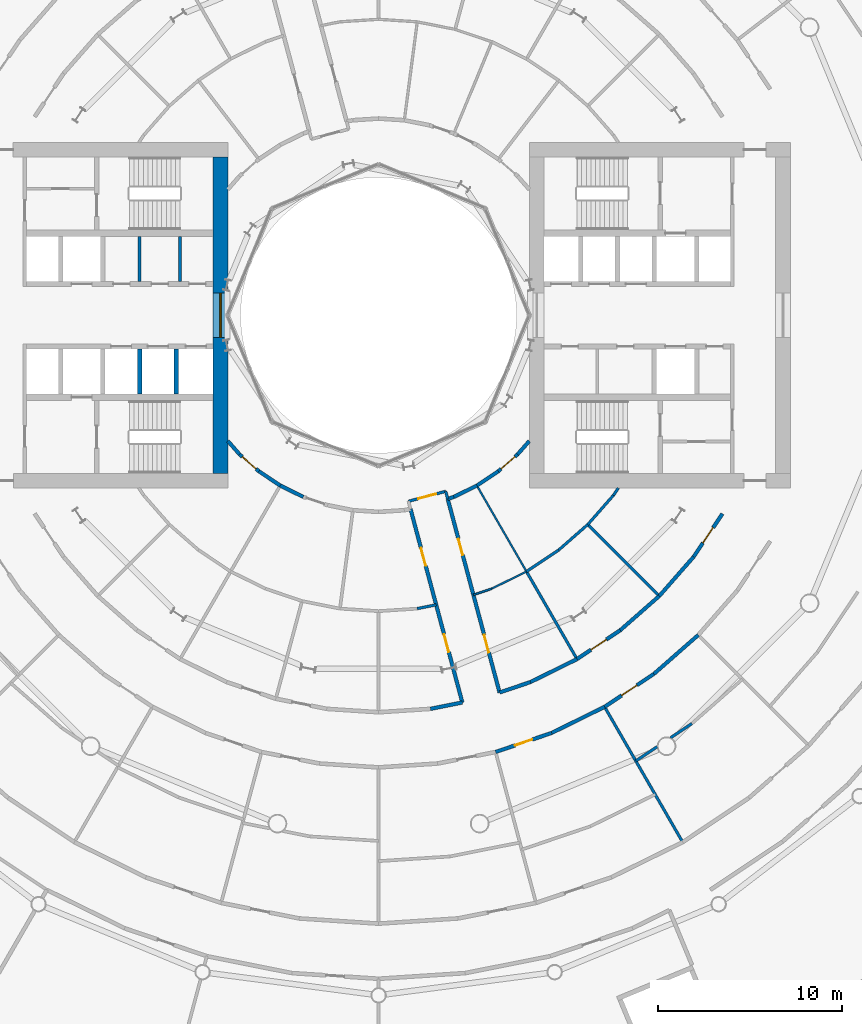
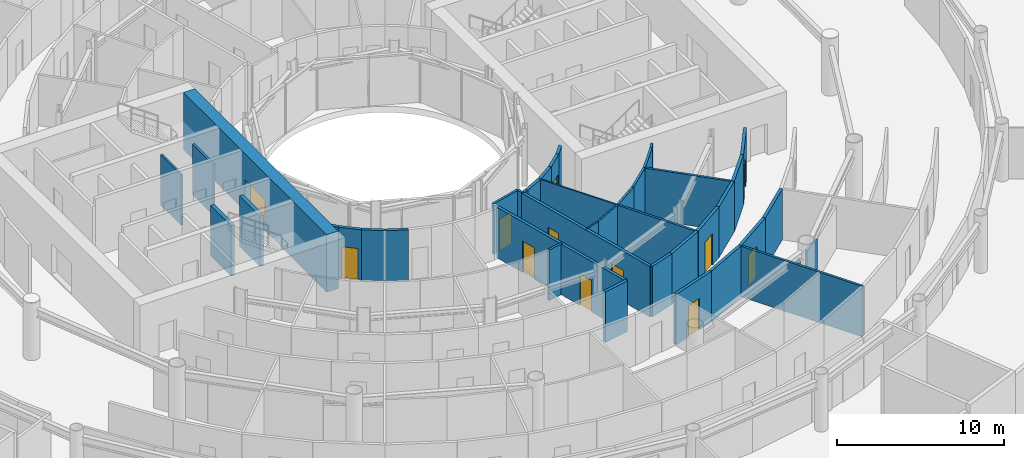
# One storey, part 16 of 29: 42 walls, 11 doors, 1 window, 12 openings.
"""IFC4 building model written with IfcOpenShell, lengths in metres."""

from ifc_helpers import new_model, si_unit, direction, frame, frame_2d, origin, place, context, subcontext, project, spatial, rectangle, extrude, material, layer, layer_set, type_object, element, fill, save


model = new_model("IFC4")

# Units and contexts
model_context = context("Model", 3, precision=1e-05, world=origin(), true_north=direction((0.0, 1.0)))
body_context = subcontext(model_context, "Body", "Model", "MODEL_VIEW")
ifc_project = project(units=[si_unit("LENGTHUNIT", "METRE"), si_unit("AREAUNIT", "SQUARE_METRE"), si_unit("VOLUMEUNIT", "CUBIC_METRE"), si_unit("PLANEANGLEUNIT", "RADIAN"), si_unit("MASSUNIT", "GRAM", prefix="KILO")], contexts=[model_context])

# Site, building, storey
site_placement = place(None, origin())
site = spatial("IfcSite", under=ifc_project, at=site_placement, CompositionType="ELEMENT")
building_placement = place(site_placement, origin())
building = spatial("IfcBuilding", under=site, at=building_placement, Name="Maasbend Ring Residences", CompositionType="ELEMENT")
storey_placement = place(building_placement, frame((0.0, 0.0, 5.39990234375)))
storey = spatial("IfcBuildingStorey", under=building, at=storey_placement, Name="L01", CompositionType="ELEMENT", Elevation=5.39990234375)

# Wall, opening, window
ifc_material_1 = material(Name="Concrete C70/85", Category="concrete")
ifc_layer_1 = layer(ifc_material_1, 0.800048828125)
ifc_layer_set_1 = layer_set([ifc_layer_1], Name="Concrete C70/85")
wall_type_1 = type_object("IfcWallType", Name="CORE WALL 800 C70/85", PredefinedType="SHEAR", material=ifc_layer_set_1)
wall_1_placement = place(storey_placement, frame((-8.60009765625, 8.60009765625, 0.0), z_axis=(0.0, 0.0, 1.0), x_axis=(0.0, -1.0, 0.0)))
wall_1 = element("IfcWall", 1, at=wall_1_placement, inside=storey, type_object=wall_type_1, Name="L01 core W wall PIN", PredefinedType="SHEAR", context=body_context, shape_type="SweptSolid", body=[
    extrude(rectangle(XDim=17.2001953125, YDim=0.800048828125, at=frame_2d((8.60009765625, 0.0))), origin(), (0.0, 0.0, 1.0), 4.2001953125),
])
opening_1_placement = place(wall_1_placement, frame((7.39990234375, 0.0, 0.10009765625)))
opening_1 = element("IfcOpeningElement", 2, at=opening_1_placement, cuts=wall_1, Name="Opening W-W0101", PredefinedType="OPENING", context=body_context, shape_type="SweptSolid", body=[
    extrude(rectangle(XDim=2.39990234375, YDim=2.199951171875, at=frame_2d((1.199951171875, 1.10009765625))), frame((0.0, 0.41015625, 0.0), z_axis=(0.0, -1.0, 0.0), x_axis=(1.0, 0.0, 0.0)), (0.0, 0.0, 1.0), 0.820068359375),
])
ifc_material_2 = material(Name="Aluminium frame and clear glass", Category="aluminium")
window_type = type_object("IfcWindowType", Name="FIXED WINDOW 2400 X 2200", PartitioningType="SINGLE_PANEL", PredefinedType="WINDOW", material=ifc_material_2)
window_placement = place(opening_1_placement, origin())
window = element("IfcWindow", 3, at=window_placement, inside=storey, type_object=window_type, Name="Lobby window L01", OverallHeight=2.199951171875, OverallWidth=2.39990234375, PartitioningType="SINGLE_PANEL", PredefinedType="WINDOW", context=body_context, shape_type="SweptSolid", body=[
    extrude(rectangle(XDim=2.39990234375, YDim=2.199951171875, at=frame_2d((1.199951171875, 1.10009765625))), frame((0.0, 0.030029296875, 0.0), z_axis=(0.0, -1.0, 0.0), x_axis=(1.0, 0.0, 0.0)), (0.0, 0.0, 1.0), 0.06005859375),
])
fill(opening_1, window)

# Wall, opening, door
ifc_material_3 = material(Name="Concrete C30/37", Category="concrete")
ifc_layer_2 = layer(ifc_material_3, 0.199951171875)
ifc_layer_set_2 = layer_set([ifc_layer_2], Name="Concrete C30/37")
wall_type_2 = type_object("IfcWallType", Name="CORRIDOR WALL 200 CONCRETE", PredefinedType="PARTITIONING", material=ifc_layer_set_2)
wall_2_placement = place(storey_placement, frame((6.366943359375, -23.761962890625, 0.0), z_axis=(0.0, 0.0, 1.0), x_axis=(0.946877665823, 0.321593976879, 0.0)))
wall_2 = element("IfcWall", 4, at=wall_2_placement, inside=storey, type_object=wall_type_2, Name="U-L01-w068", PredefinedType="PARTITIONING", context=body_context, shape_type="SweptSolid", body=[
    extrude(rectangle(XDim=3.218017578125, YDim=0.199951171875, at=frame_2d((1.60888671875, 0.0))), origin(), (0.0, 0.0, 1.0), 3.7001953125),
])
opening_2_placement = place(wall_2_placement, frame((1.10888671875, 0.0, 0.0)))
opening_2 = element("IfcOpeningElement", 5, at=opening_2_placement, cuts=wall_2, Name="Opening D-0164", PredefinedType="OPENING", context=body_context, shape_type="SweptSolid", body=[
    extrude(rectangle(XDim=1.0, YDim=2.300048828125, at=frame_2d((0.5, 1.14990234375))), frame((0.0, 0.10986328125, 0.0), z_axis=(0.0, -1.0, 0.0), x_axis=(1.0, 0.0, 0.0)), (0.0, 0.0, 1.0), 0.219970703125),
])
ifc_material_4 = material(Name="Timber, painted", Category="wood")
door_type_1 = type_object("IfcDoorType", Name="ROOM DOOR 1000 X 2300", OperationType="NOTDEFINED", PredefinedType="DOOR", material=ifc_material_4)
door_1_placement = place(opening_2_placement, origin())
door_1 = element("IfcDoor", 6, at=door_1_placement, inside=storey, type_object=door_type_1, Name="D-0164", OperationType="SINGLE_SWING_LEFT", OverallHeight=2.300048828125, OverallWidth=1.0, PredefinedType="DOOR", context=body_context, shape_type="SweptSolid", body=[
    extrude(rectangle(XDim=1.0, YDim=2.300048828125, at=frame_2d((0.5, 1.14990234375))), frame((0.0, 0.02490234375, 0.0), z_axis=(0.0, -1.0, 0.0), x_axis=(1.0, 0.0, 0.0)), (0.0, 0.0, 1.0), 0.050048828125),
])
fill(opening_2, door_1)

# Wall
wall_3_placement = place(storey_placement, frame((9.4140625, -22.72705078125, 0.0), z_axis=(0.0, 0.0, 1.0), x_axis=(0.896886949195, 0.442259878763, 0.0)))
element("IfcWall", 7, at=wall_3_placement, inside=storey, type_object=wall_type_2, Name="U-L01-w069", PredefinedType="PARTITIONING", context=body_context, shape_type="SweptSolid", body=[
    extrude(rectangle(XDim=3.2177734375, YDim=0.199951171875, at=frame_2d((1.60888671875, 0.0))), origin(), (0.0, 0.0, 1.0), 3.7001953125),
])

# Wall, opening, door
wall_4_placement = place(storey_placement, frame((12.300048828125, -21.303955078125, 0.0), z_axis=(0.0, 0.0, 1.0), x_axis=(0.831501361433, 0.555522714148, 0.0)))
wall_4 = element("IfcWall", 8, at=wall_4_placement, inside=storey, type_object=wall_type_2, Name="U-L01-w070", PredefinedType="PARTITIONING", context=body_context, shape_type="SweptSolid", body=[
    extrude(rectangle(XDim=3.21826171875, YDim=0.199951171875, at=frame_2d((1.609130859375, 0.0))), origin(), (0.0, 0.0, 1.0), 3.7001953125),
])
opening_3_placement = place(wall_4_placement, frame((1.10888671875, 0.0, 0.0)))
opening_3 = element("IfcOpeningElement", 9, at=opening_3_placement, cuts=wall_4, Name="Opening D-0166", PredefinedType="OPENING", context=body_context, shape_type="SweptSolid", body=[
    extrude(rectangle(XDim=1.0, YDim=2.300048828125, at=frame_2d((0.5, 1.14990234375))), frame((0.0, 0.10986328125, 0.0), z_axis=(0.0, -1.0, 0.0), x_axis=(1.0, 0.0, 0.0)), (0.0, 0.0, 1.0), 0.219970703125),
])
door_2_placement = place(opening_3_placement, origin())
door_2 = element("IfcDoor", 10, at=door_2_placement, inside=storey, type_object=door_type_1, Name="D-0166", OperationType="SINGLE_SWING_LEFT", OverallHeight=2.300048828125, OverallWidth=1.0, PredefinedType="DOOR", context=body_context, shape_type="SweptSolid", body=[
    extrude(rectangle(XDim=1.0, YDim=2.300048828125, at=frame_2d((0.5, 1.14990234375))), frame((0.0, 0.02490234375, 0.0), z_axis=(0.0, -1.0, 0.0), x_axis=(1.0, 0.0, 0.0)), (0.0, 0.0, 1.0), 0.050048828125),
])
fill(opening_3, door_2)

# Walls
wall_5_placement = place(storey_placement, frame((14.97607421875, -19.51611328125, 0.0), z_axis=(0.0, 0.0, 1.0), x_axis=(0.751880539175, 0.659299366608, 0.0)))
element("IfcWall", 11, at=wall_5_placement, inside=storey, type_object=wall_type_2, Name="U-L01-w071", PredefinedType="PARTITIONING", context=body_context, shape_type="SweptSolid", body=[
    extrude(rectangle(XDim=3.21728515625, YDim=0.199951171875, at=frame_2d((1.608642578125, 0.0))), origin(), (0.0, 0.0, 1.0), 3.7001953125),
])
for number, where, z_axis, x_axis, name in (
    (12, (2.819091796875, -21.4150390625, 0.0), (0.0, 0.0, 1.0), (0.980781401852, 0.195109819798, 0.0), "U-L01-w083"),
    (13, (6.5869140625, -20.52587890625, 0.0), (0.0, 0.0, 1.0), (0.946962242055, 0.321344849223, 0.0), "U-L01-w084"),
):
    element("IfcWall", number, at=place(storey_placement, frame(where, z_axis=z_axis, x_axis=x_axis)), inside=storey, type_object=wall_type_2, Name=name, PredefinedType="PARTITIONING", context=body_context, shape_type="SweptSolid", body=[
        extrude(rectangle(XDim=1.773193359375, YDim=0.199951171875, at=frame_2d((0.88671875, 0.0))), origin(), (0.0, 0.0, 1.0), 3.7001953125),
    ])
wall_6_placement = place(storey_placement, frame((8.26611328125, -19.9560546875, 0.0), z_axis=(0.0, 0.0, 1.0), x_axis=(0.896816398134, 0.442402924988, 0.0)))
element("IfcWall", 14, at=wall_6_placement, inside=storey, type_object=wall_type_2, Name="U-L01-w085", PredefinedType="PARTITIONING", context=body_context, shape_type="SweptSolid", body=[
    extrude(rectangle(XDim=2.825439453125, YDim=0.199951171875, at=frame_2d((1.41259765625, 0.0))), origin(), (0.0, 0.0, 1.0), 3.7001953125),
])

# Wall, opening, door
wall_7_placement = place(storey_placement, frame((10.800048828125, -18.7060546875, 0.0), z_axis=(0.0, 0.0, 1.0), x_axis=(0.831371669473, 0.55571678686, 0.0)))
wall_7 = element("IfcWall", 15, at=wall_7_placement, inside=storey, type_object=wall_type_2, Name="U-L01-w086", PredefinedType="PARTITIONING", context=body_context, shape_type="SweptSolid", body=[
    extrude(rectangle(XDim=2.8251953125, YDim=0.199951171875, at=frame_2d((1.41259765625, 0.0))), origin(), (0.0, 0.0, 1.0), 3.7001953125),
])
opening_4_placement = place(wall_7_placement, frame((0.9130859375, 0.0, 0.0)))
opening_4 = element("IfcOpeningElement", 16, at=opening_4_placement, cuts=wall_7, Name="Opening D-0128", PredefinedType="OPENING", context=body_context, shape_type="SweptSolid", body=[
    extrude(rectangle(XDim=1.0, YDim=2.300048828125, at=frame_2d((0.5, 1.14990234375))), frame((0.0, 0.10986328125, 0.0), z_axis=(0.0, -1.0, 0.0), x_axis=(1.0, 0.0, 0.0)), (0.0, 0.0, 1.0), 0.219970703125),
])
door_3_placement = place(opening_4_placement, origin())
door_3 = element("IfcDoor", 17, at=door_3_placement, inside=storey, type_object=door_type_1, Name="D-0128", OperationType="SINGLE_SWING_RIGHT", OverallHeight=2.300048828125, OverallWidth=1.0, PredefinedType="DOOR", context=body_context, shape_type="SweptSolid", body=[
    extrude(rectangle(XDim=1.0, YDim=2.300048828125, at=frame_2d((0.5, 1.14990234375))), frame((0.0, 0.02490234375, 0.0), z_axis=(0.0, -1.0, 0.0), x_axis=(1.0, 0.0, 0.0)), (0.0, 0.0, 1.0), 0.050048828125),
])
fill(opening_4, door_3)

# Walls
for number, where, z_axis, x_axis, name in (
    (18, (13.14892578125, -17.135986328125, 0.0), (0.0, 0.0, 1.0), (0.752105457459, 0.659042776199, 0.0), "U-L01-w087"),
    (19, (15.27392578125, -15.27392578125, 0.0), (0.0, 0.0, 1.0), (0.659042776199, 0.752105457459, 0.0), "U-L01-w088"),
):
    element("IfcWall", number, at=place(storey_placement, frame(where, z_axis=z_axis, x_axis=x_axis)), inside=storey, type_object=wall_type_2, Name=name, PredefinedType="PARTITIONING", context=body_context, shape_type="SweptSolid", body=[
        extrude(rectangle(XDim=2.825439453125, YDim=0.199951171875, at=frame_2d((1.41259765625, 0.0))), origin(), (0.0, 0.0, 1.0), 3.7001953125),
    ])

# Wall, opening, door
wall_8_placement = place(storey_placement, frame((17.135986328125, -13.14892578125, 0.0), z_axis=(0.0, 0.0, 1.0), x_axis=(0.55571678686, 0.831371669473, 0.0)))
wall_8 = element("IfcWall", 20, at=wall_8_placement, inside=storey, type_object=wall_type_2, Name="U-L01-w089", PredefinedType="PARTITIONING", context=body_context, shape_type="SweptSolid", body=[
    extrude(rectangle(XDim=2.8251953125, YDim=0.199951171875, at=frame_2d((1.41259765625, 0.0))), origin(), (0.0, 0.0, 1.0), 3.7001953125),
])
opening_5_placement = place(wall_8_placement, frame((0.9130859375, 0.0, 0.0)))
opening_5 = element("IfcOpeningElement", 21, at=opening_5_placement, cuts=wall_8, Name="Opening D-0129", PredefinedType="OPENING", context=body_context, shape_type="SweptSolid", body=[
    extrude(rectangle(XDim=1.0, YDim=2.300048828125, at=frame_2d((0.5, 1.14990234375))), frame((0.0, 0.10986328125, 0.0), z_axis=(0.0, -1.0, 0.0), x_axis=(1.0, 0.0, 0.0)), (0.0, 0.0, 1.0), 0.219970703125),
])
door_4_placement = place(opening_5_placement, origin())
door_4 = element("IfcDoor", 22, at=door_4_placement, inside=storey, type_object=door_type_1, Name="D-0129", OperationType="SINGLE_SWING_RIGHT", OverallHeight=2.300048828125, OverallWidth=1.0, PredefinedType="DOOR", context=body_context, shape_type="SweptSolid", body=[
    extrude(rectangle(XDim=1.0, YDim=2.300048828125, at=frame_2d((0.5, 1.14990234375))), frame((0.0, 0.02490234375, 0.0), z_axis=(0.0, -1.0, 0.0), x_axis=(1.0, 0.0, 0.0)), (0.0, 0.0, 1.0), 0.050048828125),
])
fill(opening_5, door_4)

# Wall
wall_9_placement = place(storey_placement, frame((-8.199951171875, -6.843017578125, 0.0), z_axis=(0.0, 0.0, 1.0), x_axis=(0.659384951594, -0.751805483893, 0.0)))
element("IfcWall", 23, at=wall_9_placement, inside=storey, type_object=wall_type_2, Name="U-L01-w106", PredefinedType="PARTITIONING", context=body_context, shape_type="SweptSolid", body=[
    extrude(rectangle(XDim=0.961669921875, YDim=0.199951171875, at=frame_2d((0.48095703125, 0.0))), origin(), (0.0, 0.0, 1.0), 3.7001953125),
])

# Wall, opening, door
wall_10_placement = place(storey_placement, frame((-7.56591796875, -7.56591796875, 0.0), z_axis=(0.0, 0.0, 1.0), x_axis=(0.751657456611, -0.65955368843, 0.0)))
wall_10 = element("IfcWall", 24, at=wall_10_placement, inside=storey, type_object=wall_type_2, Name="U-L01-w107", PredefinedType="PARTITIONING", context=body_context, shape_type="SweptSolid", body=[
    extrude(rectangle(XDim=1.399658203125, YDim=0.199951171875, at=frame_2d((0.69970703125, 0.0))), origin(), (0.0, 0.0, 1.0), 3.7001953125),
])
opening_6_placement = place(wall_10_placement, frame((0.199951171875, 0.0, 0.0)))
opening_6 = element("IfcOpeningElement", 25, at=opening_6_placement, cuts=wall_10, Name="Opening D-0109", PredefinedType="OPENING", context=body_context, shape_type="SweptSolid", body=[
    extrude(rectangle(XDim=1.0, YDim=2.300048828125, at=frame_2d((0.5, 1.14990234375))), frame((0.0, 0.10986328125, 0.0), z_axis=(0.0, -1.0, 0.0), x_axis=(1.0, 0.0, 0.0)), (0.0, 0.0, 1.0), 0.219970703125),
])
door_5_placement = place(opening_6_placement, origin())
door_5 = element("IfcDoor", 26, at=door_5_placement, inside=storey, type_object=door_type_1, Name="D-0109", OperationType="SINGLE_SWING_LEFT", OverallHeight=2.300048828125, OverallWidth=1.0, PredefinedType="DOOR", context=body_context, shape_type="SweptSolid", body=[
    extrude(rectangle(XDim=1.0, YDim=2.300048828125, at=frame_2d((0.5, 1.14990234375))), frame((0.0, 0.02490234375, 0.0), z_axis=(0.0, -1.0, 0.0), x_axis=(1.0, 0.0, 0.0)), (0.0, 0.0, 1.0), 0.050048828125),
])
fill(opening_6, door_5)

# Walls
wall_11_placement = place(storey_placement, frame((-6.513916015625, -8.489013671875, 0.0), z_axis=(0.0, 0.0, 1.0), x_axis=(0.831647476803, -0.555303947696, 0.0)))
element("IfcWall", 27, at=wall_11_placement, inside=storey, type_object=wall_type_2, Name="U-L01-w108", PredefinedType="PARTITIONING", context=body_context, shape_type="SweptSolid", body=[
    extrude(rectangle(XDim=1.3994140625, YDim=0.199951171875, at=frame_2d((0.69970703125, 0.0))), origin(), (0.0, 0.0, 1.0), 3.7001953125),
])
wall_12_placement = place(storey_placement, frame((-5.35009765625, -9.26611328125, 0.0), z_axis=(0.0, 0.0, 1.0), x_axis=(0.896613890545, -0.442813201341, 0.0)))
element("IfcWall", 28, at=wall_12_placement, inside=storey, type_object=wall_type_2, Name="U-L01-w109", PredefinedType="PARTITIONING", context=body_context, shape_type="SweptSolid", body=[
    extrude(rectangle(XDim=1.39990234375, YDim=0.199951171875, at=frame_2d((0.699951171875, 0.0))), origin(), (0.0, 0.0, 1.0), 3.7001953125),
])
wall_13_placement = place(storey_placement, frame((3.76611328125, -9.9970703125, 0.0), z_axis=(0.0, 0.0, 1.0), x_axis=(0.947409668882, 0.320023310572, 0.0)))
element("IfcWall", 29, at=wall_13_placement, inside=storey, type_object=wall_type_2, Name="U-L01-w115", PredefinedType="PARTITIONING", context=body_context, shape_type="SweptSolid", body=[
    extrude(rectangle(XDim=0.34716796875, YDim=0.199951171875, at=frame_2d((0.173583984375, 0.0))), origin(), (0.0, 0.0, 1.0), 3.7001953125),
])
wall_14_placement = place(storey_placement, frame((4.094970703125, -9.885986328125, 0.0), z_axis=(0.0, 0.0, 1.0), x_axis=(0.896613890545, 0.442813201341, 0.0)))
element("IfcWall", 30, at=wall_14_placement, inside=storey, type_object=wall_type_2, Name="U-L01-w116", PredefinedType="PARTITIONING", context=body_context, shape_type="SweptSolid", body=[
    extrude(rectangle(XDim=1.39990234375, YDim=0.199951171875, at=frame_2d((0.699951171875, 0.0))), origin(), (0.0, 0.0, 1.0), 3.7001953125),
])
wall_15_placement = place(storey_placement, frame((5.35009765625, -9.26611328125, 0.0), z_axis=(0.0, 0.0, 1.0), x_axis=(0.831647476803, 0.555303947696, 0.0)))
element("IfcWall", 31, at=wall_15_placement, inside=storey, type_object=wall_type_2, Name="U-L01-w117", PredefinedType="PARTITIONING", context=body_context, shape_type="SweptSolid", body=[
    extrude(rectangle(XDim=1.3994140625, YDim=0.199951171875, at=frame_2d((0.69970703125, 0.0))), origin(), (0.0, 0.0, 1.0), 3.7001953125),
])

# Wall, opening, door
wall_16_placement = place(storey_placement, frame((6.513916015625, -8.489013671875, 0.0), z_axis=(0.0, 0.0, 1.0), x_axis=(0.751657456611, 0.65955368843, 0.0)))
wall_16 = element("IfcWall", 32, at=wall_16_placement, inside=storey, type_object=wall_type_2, Name="U-L01-w118", PredefinedType="PARTITIONING", context=body_context, shape_type="SweptSolid", body=[
    extrude(rectangle(XDim=1.399658203125, YDim=0.199951171875, at=frame_2d((0.69970703125, 0.0))), origin(), (0.0, 0.0, 1.0), 3.7001953125),
])
opening_7_placement = place(wall_16_placement, frame((0.199951171875, 0.0, 0.0)))
opening_7 = element("IfcOpeningElement", 33, at=opening_7_placement, cuts=wall_16, Name="Opening D-0113", PredefinedType="OPENING", context=body_context, shape_type="SweptSolid", body=[
    extrude(rectangle(XDim=1.0, YDim=2.300048828125, at=frame_2d((0.5, 1.14990234375))), frame((0.0, 0.10986328125, 0.0), z_axis=(0.0, -1.0, 0.0), x_axis=(1.0, 0.0, 0.0)), (0.0, 0.0, 1.0), 0.219970703125),
])
door_6_placement = place(opening_7_placement, origin())
door_6 = element("IfcDoor", 34, at=door_6_placement, inside=storey, type_object=door_type_1, Name="D-0113", OperationType="SINGLE_SWING_LEFT", OverallHeight=2.300048828125, OverallWidth=1.0, PredefinedType="DOOR", context=body_context, shape_type="SweptSolid", body=[
    extrude(rectangle(XDim=1.0, YDim=2.300048828125, at=frame_2d((0.5, 1.14990234375))), frame((0.0, 0.02490234375, 0.0), z_axis=(0.0, -1.0, 0.0), x_axis=(1.0, 0.0, 0.0)), (0.0, 0.0, 1.0), 0.050048828125),
])
fill(opening_7, door_6)

# Wall
wall_17_placement = place(storey_placement, frame((7.56591796875, -7.56591796875, 0.0), z_axis=(0.0, 0.0, 1.0), x_axis=(0.659384951594, 0.751805483893, 0.0)))
element("IfcWall", 35, at=wall_17_placement, inside=storey, type_object=wall_type_2, Name="U-L01-w119", PredefinedType="PARTITIONING", context=body_context, shape_type="SweptSolid", body=[
    extrude(rectangle(XDim=0.961669921875, YDim=0.199951171875, at=frame_2d((0.48095703125, 0.0))), origin(), (0.0, 0.0, 1.0), 3.7001953125),
])

# Wall, openings, doors
wall_18_placement = place(storey_placement, frame((1.737060546875, -10.5400390625, 0.0), z_axis=(0.0, 0.0, 1.0), x_axis=(0.258696900173, -0.965958546647, 0.0)))
wall_18 = element("IfcWall", 36, at=wall_18_placement, inside=storey, type_object=wall_type_2, Name="U-L01-w128", PredefinedType="PARTITIONING", context=body_context, shape_type="SweptSolid", body=[
    extrude(rectangle(XDim=10.900146484375, YDim=0.199951171875, at=frame_2d((5.4501953125, 0.0))), origin(), (0.0, 0.0, 1.0), 3.7001953125),
])
opening_8_placement = place(wall_18_placement, frame((2.199951171875, 0.0, 0.0)))
opening_8 = element("IfcOpeningElement", 37, at=opening_8_placement, cuts=wall_18, Name="Opening D-0111", PredefinedType="OPENING", context=body_context, shape_type="SweptSolid", body=[
    extrude(rectangle(XDim=1.0, YDim=2.300048828125, at=frame_2d((0.5, 1.14990234375))), frame((0.0, 0.10986328125, 0.0), z_axis=(0.0, -1.0, 0.0), x_axis=(1.0, 0.0, 0.0)), (0.0, 0.0, 1.0), 0.219970703125),
])
opening_9_placement = place(wall_18_placement, frame((7.050048828125, 0.0, 0.0)))
opening_9 = element("IfcOpeningElement", 38, at=opening_9_placement, cuts=wall_18, Name="Opening D-0126", PredefinedType="OPENING", context=body_context, shape_type="SweptSolid", body=[
    extrude(rectangle(XDim=1.0, YDim=2.300048828125, at=frame_2d((0.5, 1.14990234375))), frame((0.0, 0.10986328125, 0.0), z_axis=(0.0, -1.0, 0.0), x_axis=(1.0, 0.0, 0.0)), (0.0, 0.0, 1.0), 0.219970703125),
])
door_7_placement = place(opening_8_placement, origin())
door_7 = element("IfcDoor", 39, at=door_7_placement, inside=storey, type_object=door_type_1, Name="D-0111", OperationType="SINGLE_SWING_LEFT", OverallHeight=2.300048828125, OverallWidth=1.0, PredefinedType="DOOR", context=body_context, shape_type="SweptSolid", body=[
    extrude(rectangle(XDim=1.0, YDim=2.300048828125, at=frame_2d((0.5, 1.14990234375))), frame((0.0, 0.02490234375, 0.0), z_axis=(0.0, -1.0, 0.0), x_axis=(1.0, 0.0, 0.0)), (0.0, 0.0, 1.0), 0.050048828125),
])
fill(opening_8, door_7)
door_8_placement = place(opening_9_placement, origin())
door_8 = element("IfcDoor", 40, at=door_8_placement, inside=storey, type_object=door_type_1, Name="D-0126", OperationType="SINGLE_SWING_RIGHT", OverallHeight=2.300048828125, OverallWidth=1.0, PredefinedType="DOOR", context=body_context, shape_type="SweptSolid", body=[
    extrude(rectangle(XDim=1.0, YDim=2.300048828125, at=frame_2d((0.5, 1.14990234375))), frame((0.0, 0.02490234375, 0.0), z_axis=(0.0, -1.0, 0.0), x_axis=(1.0, 0.0, 0.0)), (0.0, 0.0, 1.0), 0.050048828125),
])
fill(opening_9, door_8)

wall_19_placement = place(storey_placement, frame((3.762939453125, -9.998046875, 0.0), z_axis=(0.0, 0.0, 1.0), x_axis=(0.258717799026, -0.965952949407, 0.0)))
wall_19 = element("IfcWall", 41, at=wall_19_placement, inside=storey, type_object=wall_type_2, Name="U-L01-w188", PredefinedType="PARTITIONING", context=body_context, shape_type="SweptSolid", body=[
    extrude(rectangle(XDim=10.900146484375, YDim=0.199951171875, at=frame_2d((5.4501953125, 0.0))), origin(), (0.0, 0.0, 1.0), 3.7001953125),
])
opening_10_placement = place(wall_19_placement, frame((2.25, 0.0, 0.0)))
opening_10 = element("IfcOpeningElement", 42, at=opening_10_placement, cuts=wall_19, Name="Opening D-0112", PredefinedType="OPENING", context=body_context, shape_type="SweptSolid", body=[
    extrude(rectangle(XDim=0.89990234375, YDim=2.300048828125, at=frame_2d((0.449951171875, 1.14990234375))), frame((0.0, 0.10986328125, 0.0), z_axis=(0.0, -1.0, 0.0), x_axis=(1.0, 0.0, 0.0)), (0.0, 0.0, 1.0), 0.219970703125),
])
opening_11_placement = place(wall_19_placement, frame((7.64990234375, 0.0, 0.0)))
opening_11 = element("IfcOpeningElement", 43, at=opening_11_placement, cuts=wall_19, Name="Opening D-0127", PredefinedType="OPENING", context=body_context, shape_type="SweptSolid", body=[
    extrude(rectangle(XDim=1.0, YDim=2.300048828125, at=frame_2d((0.5, 1.14990234375))), frame((0.0, 0.10986328125, 0.0), z_axis=(0.0, -1.0, 0.0), x_axis=(1.0, 0.0, 0.0)), (0.0, 0.0, 1.0), 0.219970703125),
])
ifc_material_5 = material(Name="Timber, painted", Category="wood")
door_type_2 = type_object("IfcDoorType", Name="INTERNAL DOOR 900 X 2300", OperationType="NOTDEFINED", PredefinedType="DOOR", material=ifc_material_5)
door_9_placement = place(opening_10_placement, origin())
door_9 = element("IfcDoor", 44, at=door_9_placement, inside=storey, type_object=door_type_2, Name="D-0112", OperationType="SINGLE_SWING_LEFT", OverallHeight=2.300048828125, OverallWidth=0.89990234375, PredefinedType="DOOR", context=body_context, shape_type="SweptSolid", body=[
    extrude(rectangle(XDim=0.89990234375, YDim=2.300048828125, at=frame_2d((0.449951171875, 1.14990234375))), frame((0.0, 0.02490234375, 0.0), z_axis=(0.0, -1.0, 0.0), x_axis=(1.0, 0.0, 0.0)), (0.0, 0.0, 1.0), 0.050048828125),
])
fill(opening_10, door_9)
door_10_placement = place(opening_11_placement, origin())
door_10 = element("IfcDoor", 45, at=door_10_placement, inside=storey, type_object=door_type_1, Name="D-0127", OperationType="SINGLE_SWING_RIGHT", OverallHeight=2.300048828125, OverallWidth=1.0, PredefinedType="DOOR", context=body_context, shape_type="SweptSolid", body=[
    extrude(rectangle(XDim=1.0, YDim=2.300048828125, at=frame_2d((0.5, 1.14990234375))), frame((0.0, 0.02490234375, 0.0), z_axis=(0.0, -1.0, 0.0), x_axis=(1.0, 0.0, 0.0)), (0.0, 0.0, 1.0), 0.050048828125),
])
fill(opening_11, door_10)

# Walls
ifc_material_6 = material(Name="Gypsum board on steel studs", Category="steel")
ifc_layer_3 = layer(ifc_material_6, 0.10009765625)
ifc_layer_set_3 = layer_set([ifc_layer_3], Name="PARTITION 100 GYPSUM")
wall_type_3 = type_object("IfcWallType", Name="PARTITION 100 GYPSUM", PredefinedType="PARTITIONING", material=ifc_layer_set_3)
wall_20_placement = place(storey_placement, frame((5.1630859375, -15.212890625, 0.0), z_axis=(0.0, 0.0, 1.0), x_axis=(0.946884250849, 0.321574587761, 0.0)))
element("IfcWall", 46, at=wall_20_placement, inside=storey, type_object=wall_type_3, Name="U-L01-w099", PredefinedType="PARTITIONING", context=body_context, shape_type="SweptSolid", body=[
    extrude(rectangle(XDim=1.0537109375, YDim=0.10009765625, at=frame_2d((0.52685546875, 0.0))), origin(), (0.0, 0.0, 1.0), 3.7001953125),
])
wall_21_placement = place(storey_placement, frame((6.160888671875, -14.8740234375, 0.0), z_axis=(0.0, 0.0, 1.0), x_axis=(0.897008779175, 0.442012726156, 0.0)))
element("IfcWall", 47, at=wall_21_placement, inside=storey, type_object=wall_type_3, Name="U-L01-w100", PredefinedType="PARTITIONING", context=body_context, shape_type="SweptSolid", body=[
    extrude(rectangle(XDim=2.10595703125, YDim=0.10009765625, at=frame_2d((1.052978515625, 0.0))), origin(), (0.0, 0.0, 1.0), 3.7001953125),
])
wall_22_placement = place(storey_placement, frame((5.346923828125, -9.26806640625, 0.0), z_axis=(0.0, 0.0, 1.0), x_axis=(0.499989858664, -0.866031258808, 0.0)))
element("IfcWall", 48, at=wall_22_placement, inside=storey, type_object=wall_type_3, Name="U-L01-w165", PredefinedType="PARTITIONING", context=body_context, shape_type="SweptSolid", body=[
    extrude(rectangle(XDim=5.400390625, YDim=0.10009765625, at=frame_2d((2.7001953125, 0.0))), origin(), (0.0, 0.0, 1.0), 3.7001953125),
])
ifc_material_7 = material(Name="Gypsum board on steel studs", Category="steel")
ifc_layer_4 = layer(ifc_material_7, 0.14990234375)
ifc_layer_set_4 = layer_set([ifc_layer_4], Name="PARTITION 150 EI 60")
wall_type_4 = type_object("IfcWallType", Name="PARTITION 150 EI 60", PredefinedType="PARTITIONING", material=ifc_layer_set_4)
for number, where, z_axis, x_axis, name in (
    (49, (-10.800048828125, 1.824951171875, 0.0), (0.0, 0.0, 1.0), (0.0, 1.0, 0.0), "L01 core W wall PRS1080"),
    (50, (-13.0, 1.824951171875, 0.0), (0.0, 0.0, 1.0), (0.0, 1.0, 0.0), "L01 core W wall PRS1300"),
):
    element("IfcWall", number, at=place(storey_placement, frame(where, z_axis=z_axis, x_axis=x_axis)), inside=storey, type_object=wall_type_4, Name=name, PredefinedType="PARTITIONING", context=body_context, shape_type="SweptSolid", body=[
        extrude(rectangle(XDim=2.449951171875, YDim=0.14990234375, at=frame_2d((1.22509765625, 0.0))), origin(), (0.0, 0.0, 1.0), 3.7001953125),
    ])
ifc_material_8 = material(Name="Gypsum board on steel studs", Category="steel")
ifc_layer_5 = layer(ifc_material_8, 0.14990234375)
ifc_layer_set_5 = layer_set([ifc_layer_5], Name="PARTITION 150 GYPSUM")
wall_type_5 = type_object("IfcWallType", Name="PARTITION 150 GYPSUM", PredefinedType="PARTITIONING", material=ifc_layer_set_5)
wall_23_placement = place(storey_placement, frame((14.0, -24.2490234375, 0.0), z_axis=(0.0, 0.0, 1.0), x_axis=(0.831379046187, 0.55570575088, 0.0)))
element("IfcWall", 51, at=wall_23_placement, inside=storey, type_object=wall_type_5, Name="U-L01-w053", PredefinedType="PARTITIONING", context=body_context, shape_type="SweptSolid", body=[
    extrude(rectangle(XDim=1.400146484375, YDim=0.14990234375, at=frame_2d((0.7001953125, 0.0))), origin(), (0.0, 0.0, 1.0), 3.080078125),
])
wall_24_placement = place(storey_placement, frame((15.882080078125, -22.991943359375, 0.0), z_axis=(0.0, 0.0, 1.0), x_axis=(0.831190171208, 0.555988218658, 0.0)))
element("IfcWall", 52, at=wall_24_placement, inside=storey, type_object=wall_type_5, Name="U-L01-w054", PredefinedType="PARTITIONING", context=body_context, shape_type="SweptSolid", body=[
    extrude(rectangle(XDim=1.39892578125, YDim=0.14990234375, at=frame_2d((0.699462890625, 0.0))), origin(), (0.0, 0.0, 1.0), 3.080078125),
])
for number, where, z_axis, x_axis, name in (
    (53, (8.050048828125, -13.943115234375, 0.0), (0.0, 0.0, 1.0), (0.831425547365, 0.555636175198, 0.0), "U-L01-w101"),
    (54, (9.801025390625, -12.77294921875, 0.0), (0.0, 0.0, 1.0), (0.751685505492, 0.659521721275, 0.0), "U-L01-w102"),
    (55, (11.384033203125, -11.384033203125, 0.0), (0.0, 0.0, 1.0), (0.659521721275, 0.751685505492, 0.0), "U-L01-w103"),
):
    element("IfcWall", number, at=place(storey_placement, frame(where, z_axis=z_axis, x_axis=x_axis)), inside=storey, type_object=wall_type_5, Name=name, PredefinedType="PARTITIONING", context=body_context, shape_type="SweptSolid", body=[
        extrude(rectangle(XDim=2.10595703125, YDim=0.14990234375, at=frame_2d((1.052978515625, 0.0))), origin(), (0.0, 0.0, 1.0), 3.7001953125),
    ])
wall_25_placement = place(storey_placement, frame((12.77294921875, -9.801025390625, 0.0), z_axis=(0.0, 0.0, 1.0), x_axis=(0.555634077892, 0.831426948977, 0.0)))
element("IfcWall", 56, at=wall_25_placement, inside=storey, type_object=wall_type_5, Name="U-L01-w104", PredefinedType="PARTITIONING", context=body_context, shape_type="SweptSolid", body=[
    extrude(rectangle(XDim=0.482421875, YDim=0.14990234375, at=frame_2d((0.2412109375, 0.0))), origin(), (0.0, 0.0, 1.0), 3.7001953125),
])
wall_26_placement = place(storey_placement, frame((2.10107421875, -15.9619140625, 0.0), z_axis=(0.0, 0.0, 1.0), x_axis=(0.980758412725, 0.195225346382, 0.0)))
element("IfcWall", 57, at=wall_26_placement, inside=storey, type_object=wall_type_5, Name="U-L01-w105", PredefinedType="PARTITIONING", context=body_context, shape_type="SweptSolid", body=[
    extrude(rectangle(XDim=1.05419921875, YDim=0.14990234375, at=frame_2d((0.527099609375, 0.0))), origin(), (0.0, 0.0, 1.0), 3.7001953125),
])

# Wall, opening, door
wall_27_placement = place(storey_placement, frame((1.6259765625, -10.1240234375, 0.0), z_axis=(0.0, 0.0, 1.0), x_axis=(0.965979701755, 0.258617895354, 0.0)))
wall_27 = element("IfcWall", 58, at=wall_27_placement, inside=storey, type_object=wall_type_5, Name="U-L01-w120", PredefinedType="PARTITIONING", context=body_context, shape_type="SweptSolid", body=[
    extrude(rectangle(XDim=2.099609375, YDim=0.14990234375, at=frame_2d((1.0498046875, 0.0))), origin(), (0.0, 0.0, 1.0), 3.7001953125),
])
opening_12_placement = place(wall_27_placement, frame((0.550048828125, 0.0, 0.0)))
opening_12 = element("IfcOpeningElement", 59, at=opening_12_placement, cuts=wall_27, Name="Opening D-0102", PredefinedType="OPENING", context=body_context, shape_type="SweptSolid", body=[
    extrude(rectangle(XDim=1.0, YDim=2.300048828125, at=frame_2d((0.5, 1.14990234375))), frame((0.0, 0.0849609375, 0.0), z_axis=(0.0, -1.0, 0.0), x_axis=(1.0, 0.0, 0.0)), (0.0, 0.0, 1.0), 0.169921875),
])
door_11_placement = place(opening_12_placement, origin())
door_11 = element("IfcDoor", 60, at=door_11_placement, inside=storey, type_object=door_type_1, Name="D-0102", OperationType="SINGLE_SWING_LEFT", OverallHeight=2.300048828125, OverallWidth=1.0, PredefinedType="DOOR", context=body_context, shape_type="SweptSolid", body=[
    extrude(rectangle(XDim=1.0, YDim=2.300048828125, at=frame_2d((0.5, 1.14990234375))), frame((0.0, 0.02490234375, 0.0), z_axis=(0.0, -1.0, 0.0), x_axis=(1.0, 0.0, 0.0)), (0.0, 0.0, 1.0), 0.050048828125),
])
fill(opening_12, door_11)

# Walls
wall_28_placement = place(storey_placement, frame((8.047119140625, -13.945068359375, 0.0), z_axis=(0.0, 0.0, 1.0), x_axis=(0.499849278427, -0.866112405439, 0.0)))
element("IfcWall", 61, at=wall_28_placement, inside=storey, type_object=wall_type_5, Name="U-L01-w167", PredefinedType="PARTITIONING", context=body_context, shape_type="SweptSolid", body=[
    extrude(rectangle(XDim=5.499267578125, YDim=0.14990234375, at=frame_2d((2.74951171875, 0.0))), origin(), (0.0, 0.0, 1.0), 3.7001953125),
])
wall_29_placement = place(storey_placement, frame((11.384033203125, -11.384033203125, 0.0), z_axis=(0.0, 0.0, 1.0), x_axis=(0.707106781187, -0.707106781187, 0.0)))
element("IfcWall", 62, at=wall_29_placement, inside=storey, type_object=wall_type_5, Name="U-L01-w172", PredefinedType="PARTITIONING", context=body_context, shape_type="SweptSolid", body=[
    extrude(rectangle(XDim=5.501220703125, YDim=0.14990234375, at=frame_2d((2.75048828125, 0.0))), origin(), (0.0, 0.0, 1.0), 3.7001953125),
])
wall_30_placement = place(storey_placement, frame((12.2958984375, -21.305908203125, 0.0), z_axis=(0.0, 0.0, 1.0), x_axis=(0.499870803926, -0.866099982325, 0.0)))
element("IfcWall", 63, at=wall_30_placement, inside=storey, type_object=wall_type_5, Name="U-L01-w174", PredefinedType="PARTITIONING", context=body_context, shape_type="SweptSolid", body=[
    extrude(rectangle(XDim=8.500244140625, YDim=0.14990234375, at=frame_2d((4.25, 0.0))), origin(), (0.0, 0.0, 1.0), 3.7001953125),
])
wall_31_placement = place(storey_placement, frame((3.65087890625, -9.58203125, 0.0), z_axis=(0.0, 0.0, 1.0), x_axis=(0.260095400254, -0.965582923817, 0.0)))
element("IfcWall", 64, at=wall_31_placement, inside=storey, type_object=wall_type_5, Name="U-L01-w187", PredefinedType="PARTITIONING", context=body_context, shape_type="SweptSolid", body=[
    extrude(rectangle(XDim=0.430908203125, YDim=0.14990234375, at=frame_2d((0.21533203125, 0.0))), origin(), (0.0, 0.0, 1.0), 3.7001953125),
])
ifc_material_9 = material(Name="Concrete C30/37", Category="concrete")
ifc_layer_6 = layer(ifc_material_9, 0.25)
ifc_layer_set_6 = layer_set([ifc_layer_6], Name="Concrete C30/37")
wall_type_6 = type_object("IfcWallType", Name="SHAFT WALL 250 EI 120", PredefinedType="SOLIDWALL", material=ifc_layer_set_6)
for number, where, z_axis, x_axis, name in (
    (65, (-11.0, -1.824951171875, 0.0), (0.0, 0.0, 1.0), (0.0, -1.0, 0.0), "L01 core W wall D110N"),
    (66, (-13.0, -1.824951171875, 0.0), (0.0, 0.0, 1.0), (0.0, -1.0, 0.0), "L01 core W wall D130N"),
):
    element("IfcWall", number, at=place(storey_placement, frame(where, z_axis=z_axis, x_axis=x_axis)), inside=storey, type_object=wall_type_6, Name=name, PredefinedType="SOLIDWALL", context=body_context, shape_type="SweptSolid", body=[
        extrude(rectangle(XDim=2.449951171875, YDim=0.25, at=frame_2d((1.22509765625, 0.0))), origin(), (0.0, 0.0, 1.0), 3.7001953125),
    ])

save(model, "model.ifc")
